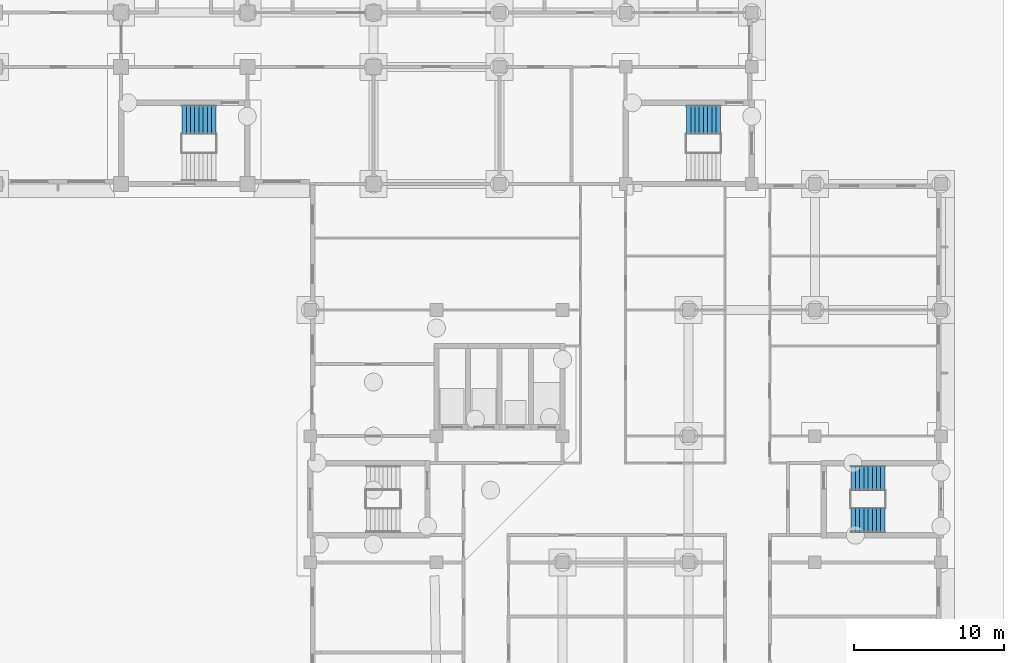
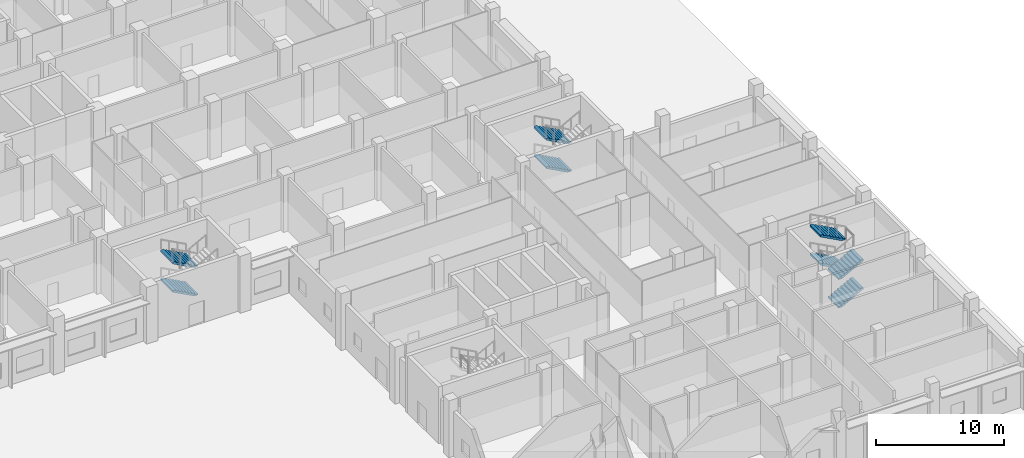
# One storey, part 100 of 146: 8 stair flights, 3 elements without a shape of their own.
"""IFC4 building model written with IfcOpenShell, lengths in metres."""

from ifc_helpers import new_model, si_unit, direction, frame, origin, place, context, subcontext, project, spatial, polyline, outline, extrude, material, type_object, element, aggregate, save


model = new_model("IFC4")

# Units and contexts
model_context = context("Model", 3, precision=1e-05, world=origin(), true_north=direction((0.0, 1.0)))
body_context = subcontext(model_context, "Body", "Model", "MODEL_VIEW")
ifc_project = project(units=[si_unit("LENGTHUNIT", "METRE"), si_unit("AREAUNIT", "SQUARE_METRE"), si_unit("VOLUMEUNIT", "CUBIC_METRE"), si_unit("PLANEANGLEUNIT", "RADIAN"), si_unit("MASSUNIT", "GRAM", prefix="KILO")], contexts=[model_context])

# Site, building, storey
site_placement = place(None, origin())
site = spatial("IfcSite", under=ifc_project, at=site_placement, CompositionType="ELEMENT")
building_placement = place(site_placement, origin())
building = spatial("IfcBuilding", under=site, at=building_placement, Name="Bougainvillea Quay General Hospital", CompositionType="ELEMENT")
storey_placement = place(building_placement, origin())
storey = spatial("IfcBuildingStorey", under=building, at=storey_placement, Name="L00", CompositionType="ELEMENT", Elevation=0.0)

# Stair, stair flights
ifc_material = material(Name="Concrete C35", Category="concrete")
stair_type_1 = type_object("IfcStairType", Name="Stair half-turn 1650 wide", PredefinedType="HALF_TURN_STAIR", material=ifc_material)
stair_1_placement = place(storey_placement, origin())
stair_1 = element("IfcStair", 1, at=stair_1_placement, inside=storey, type_object=stair_type_1, Name="L00 stair ST-T2", PredefinedType="HALF_TURN_STAIR")
stair_flight_type_1 = type_object("IfcStairFlightType", Name="Stair flight 1650", PredefinedType="STRAIGHT", material=ifc_material)
stair_flight_1_placement = place(storey_placement, frame((199.824951171875, 95.199951171875, 0.0), z_axis=(0.0, 0.0, 1.0), x_axis=(1.0, 0.0, 0.0)))
stair_flight_1 = element("IfcStairFlight", 2, at=stair_flight_1_placement, type_object=stair_flight_type_1, Name="ST-T2 flight 1", NumberOfRisers=9, NumberOfTreads=8, PredefinedType="STRAIGHT", RiserHeight=0.15, TreadLength=0.28, context=body_context, shape_type="SweptSolid", body=[
    extrude(outline(polyline([(-0.0029296875, 0.0), (-0.0029296875, 0.003662109375), (-0.0029296875, 0.00732421875), (-0.0029296875, 0.010986328125), (-0.0029296875, 0.0146484375), (-0.0029296875, 0.018310546875), (-0.0029296875, 0.02197265625), (-0.0029296875, 0.025634765625), (-0.0029296875, 0.029296875), (-0.0029296875, 0.032958984375), (-0.0029296875, 0.03662109375), (-0.0029296875, 0.040283203125), (-0.0029296875, 0.0439453125), (-0.0029296875, 0.047607421875), (-0.0029296875, 0.05126953125), (-0.0029296875, 0.054931640625), (-0.0029296875, 0.05859375), (-0.0029296875, 0.062255859375), (-0.0029296875, 0.06591796875), (-0.0029296875, 0.069580078125), (-0.0029296875, 0.0732421875), (-0.0029296875, 0.076904296875), (-0.0029296875, 0.08056640625), (-0.0029296875, 0.084228515625), (-0.0029296875, 0.087890625), (-0.0029296875, 0.091552734375), (-0.0029296875, 0.09521484375), (-0.0029296875, 0.098876953125), (-0.0029296875, 0.1025390625), (-0.0029296875, 0.106201171875), (-0.0029296875, 0.10986328125), (-0.0029296875, 0.113525390625), (-0.0029296875, 0.1171875), (-0.0029296875, 0.120849609375), (-0.0029296875, 0.12451171875), (-0.0029296875, 0.1279296875), (-0.0029296875, 0.131591796875), (-0.0029296875, 0.13525390625), (-0.0029296875, 0.138916015625), (-0.0029296875, 0.142578125), (-0.0029296875, 0.146240234375), (-0.0029296875, 0.14990234375), (0.280029296875, 0.14990234375), (0.280029296875, 0.300048828125), (0.56005859375, 0.300048828125), (0.56005859375, 0.449951171875), (0.840087890625, 0.449951171875), (0.840087890625, 0.60009765625), (1.1201171875, 0.60009765625), (1.1201171875, 0.75), (1.39990234375, 0.75), (1.39990234375, 0.89990234375), (1.679931640625, 0.89990234375), (1.679931640625, 1.050048828125), (1.9599609375, 1.050048828125), (1.9599609375, 1.199951171875), (2.242919921875, 1.199951171875), (2.242919921875, 1.19580078125), (2.242919921875, 1.191650390625), (2.242919921875, 1.1875), (2.242919921875, 1.183349609375), (2.242919921875, 1.17919921875), (2.242919921875, 1.175048828125), (2.242919921875, 1.1708984375), (2.242919921875, 1.166748046875), (2.242919921875, 1.16259765625), (2.242919921875, 1.158447265625), (2.242919921875, 1.154296875), (2.242919921875, 1.150146484375), (2.242919921875, 1.14599609375), (2.242919921875, 1.141845703125), (2.242919921875, 1.1376953125), (2.242919921875, 1.133544921875), (2.242919921875, 1.12939453125), (2.242919921875, 1.125244140625), (2.242919921875, 1.12109375), (2.242919921875, 1.116943359375), (2.242919921875, 1.11279296875), (2.242919921875, 1.108642578125), (2.242919921875, 1.1044921875), (2.242919921875, 1.100341796875), (2.242919921875, 1.09619140625), (2.242919921875, 1.092041015625), (2.242919921875, 1.087890625), (2.242919921875, 1.083984375), (2.242919921875, 1.079833984375), (2.242919921875, 1.07568359375), (2.242919921875, 1.071533203125), (2.242919921875, 1.0673828125), (2.242919921875, 1.063232421875), (2.242919921875, 1.05908203125), (2.242919921875, 1.054931640625), (2.242919921875, 1.05078125), (2.242919921875, 1.046630859375), (2.242919921875, 1.04248046875), (2.242919921875, 1.038330078125), (2.242919921875, 1.0341796875), (2.242919921875, 1.030029296875), (0.3173828125, 0.0), (-0.0029296875, 0.0)])), frame((0.0, 0.824951171875, 0.0), z_axis=(0.0, -1.0, 0.0), x_axis=(1.0, 0.0, 0.0)), (0.0, 0.0, 1.0), 1.64990234375),
])
stair_flight_2_placement = place(storey_placement, frame((202.06494140625, 98.0, 1.35009765625), z_axis=(0.0, 0.0, 1.0), x_axis=(-1.0, 0.0, 0.0)))
stair_flight_2 = element("IfcStairFlight", 3, at=stair_flight_2_placement, type_object=stair_flight_type_1, Name="ST-T2 flight 2", NumberOfRisers=9, NumberOfTreads=8, PredefinedType="STRAIGHT", RiserHeight=0.15, TreadLength=0.28, context=body_context, shape_type="SweptSolid", body=[
    extrude(outline(polyline([(-0.0029296875, 0.0), (-0.0029296875, 0.003662109375), (-0.0029296875, 0.00732421875), (-0.0029296875, 0.010986328125), (-0.0029296875, 0.0146484375), (-0.0029296875, 0.018310546875), (-0.0029296875, 0.02197265625), (-0.0029296875, 0.025634765625), (-0.0029296875, 0.029296875), (-0.0029296875, 0.032958984375), (-0.0029296875, 0.03662109375), (-0.0029296875, 0.040283203125), (-0.0029296875, 0.0439453125), (-0.0029296875, 0.047607421875), (-0.0029296875, 0.05126953125), (-0.0029296875, 0.054931640625), (-0.0029296875, 0.05859375), (-0.0029296875, 0.062255859375), (-0.0029296875, 0.06591796875), (-0.0029296875, 0.069580078125), (-0.0029296875, 0.0732421875), (-0.0029296875, 0.076904296875), (-0.0029296875, 0.08056640625), (-0.0029296875, 0.084228515625), (-0.0029296875, 0.087890625), (-0.0029296875, 0.091552734375), (-0.0029296875, 0.09521484375), (-0.0029296875, 0.098876953125), (-0.0029296875, 0.1025390625), (-0.0029296875, 0.106201171875), (-0.0029296875, 0.10986328125), (-0.0029296875, 0.113525390625), (-0.0029296875, 0.1171875), (-0.0029296875, 0.120849609375), (-0.0029296875, 0.12451171875), (-0.0029296875, 0.1279296875), (-0.0029296875, 0.131591796875), (-0.0029296875, 0.13525390625), (-0.0029296875, 0.138916015625), (-0.0029296875, 0.142578125), (-0.0029296875, 0.146240234375), (-0.0029296875, 0.14990234375), (0.280029296875, 0.14990234375), (0.280029296875, 0.300048828125), (0.56005859375, 0.300048828125), (0.56005859375, 0.449951171875), (0.840087890625, 0.449951171875), (0.840087890625, 0.60009765625), (1.1201171875, 0.60009765625), (1.1201171875, 0.75), (1.39990234375, 0.75), (1.39990234375, 0.89990234375), (1.679931640625, 0.89990234375), (1.679931640625, 1.050048828125), (1.9599609375, 1.050048828125), (1.9599609375, 1.199951171875), (2.242919921875, 1.199951171875), (2.242919921875, 1.19580078125), (2.242919921875, 1.191650390625), (2.242919921875, 1.1875), (2.242919921875, 1.183349609375), (2.242919921875, 1.17919921875), (2.242919921875, 1.175048828125), (2.242919921875, 1.1708984375), (2.242919921875, 1.166748046875), (2.242919921875, 1.16259765625), (2.242919921875, 1.158447265625), (2.242919921875, 1.154296875), (2.242919921875, 1.150146484375), (2.242919921875, 1.14599609375), (2.242919921875, 1.141845703125), (2.242919921875, 1.1376953125), (2.242919921875, 1.133544921875), (2.242919921875, 1.12939453125), (2.242919921875, 1.125244140625), (2.242919921875, 1.12109375), (2.242919921875, 1.116943359375), (2.242919921875, 1.11279296875), (2.242919921875, 1.108642578125), (2.242919921875, 1.1044921875), (2.242919921875, 1.100341796875), (2.242919921875, 1.09619140625), (2.242919921875, 1.092041015625), (2.242919921875, 1.087890625), (2.242919921875, 1.083984375), (2.242919921875, 1.079833984375), (2.242919921875, 1.07568359375), (2.242919921875, 1.071533203125), (2.242919921875, 1.0673828125), (2.242919921875, 1.063232421875), (2.242919921875, 1.05908203125), (2.242919921875, 1.054931640625), (2.242919921875, 1.05078125), (2.242919921875, 1.046630859375), (2.242919921875, 1.04248046875), (2.242919921875, 1.038330078125), (2.242919921875, 1.0341796875), (2.242919921875, 1.030029296875), (0.3173828125, 0.0), (-0.0029296875, 0.0)])), frame((0.0, 0.824951171875, 0.0), z_axis=(0.0, -1.0, 0.0), x_axis=(1.0, 0.0, 0.0)), (0.0, 0.0, 1.0), 1.64990234375),
])
stair_flight_3_placement = place(storey_placement, frame((199.824951171875, 95.199951171875, 2.699951171875), z_axis=(0.0, 0.0, 1.0), x_axis=(1.0, 0.0, 0.0)))
stair_flight_3 = element("IfcStairFlight", 4, at=stair_flight_3_placement, type_object=stair_flight_type_1, Name="ST-T2 flight 3", NumberOfRisers=9, NumberOfTreads=8, PredefinedType="STRAIGHT", RiserHeight=0.15, TreadLength=0.28, context=body_context, shape_type="SweptSolid", body=[
    extrude(outline(polyline([(-0.0029296875, 0.0), (-0.0029296875, 0.003662109375), (-0.0029296875, 0.00732421875), (-0.0029296875, 0.010986328125), (-0.0029296875, 0.0146484375), (-0.0029296875, 0.018310546875), (-0.0029296875, 0.02197265625), (-0.0029296875, 0.025634765625), (-0.0029296875, 0.029296875), (-0.0029296875, 0.032958984375), (-0.0029296875, 0.03662109375), (-0.0029296875, 0.040283203125), (-0.0029296875, 0.0439453125), (-0.0029296875, 0.047607421875), (-0.0029296875, 0.05126953125), (-0.0029296875, 0.054931640625), (-0.0029296875, 0.05859375), (-0.0029296875, 0.062255859375), (-0.0029296875, 0.06591796875), (-0.0029296875, 0.069580078125), (-0.0029296875, 0.0732421875), (-0.0029296875, 0.076904296875), (-0.0029296875, 0.08056640625), (-0.0029296875, 0.084228515625), (-0.0029296875, 0.087890625), (-0.0029296875, 0.091552734375), (-0.0029296875, 0.09521484375), (-0.0029296875, 0.098876953125), (-0.0029296875, 0.1025390625), (-0.0029296875, 0.106201171875), (-0.0029296875, 0.10986328125), (-0.0029296875, 0.113525390625), (-0.0029296875, 0.1171875), (-0.0029296875, 0.120849609375), (-0.0029296875, 0.12451171875), (-0.0029296875, 0.1279296875), (-0.0029296875, 0.131591796875), (-0.0029296875, 0.13525390625), (-0.0029296875, 0.138916015625), (-0.0029296875, 0.142578125), (-0.0029296875, 0.146240234375), (-0.0029296875, 0.14990234375), (0.280029296875, 0.14990234375), (0.280029296875, 0.300048828125), (0.56005859375, 0.300048828125), (0.56005859375, 0.449951171875), (0.840087890625, 0.449951171875), (0.840087890625, 0.60009765625), (1.1201171875, 0.60009765625), (1.1201171875, 0.75), (1.39990234375, 0.75), (1.39990234375, 0.89990234375), (1.679931640625, 0.89990234375), (1.679931640625, 1.050048828125), (1.9599609375, 1.050048828125), (1.9599609375, 1.199951171875), (2.242919921875, 1.199951171875), (2.242919921875, 1.19580078125), (2.242919921875, 1.191650390625), (2.242919921875, 1.1875), (2.242919921875, 1.183349609375), (2.242919921875, 1.17919921875), (2.242919921875, 1.175048828125), (2.242919921875, 1.1708984375), (2.242919921875, 1.166748046875), (2.242919921875, 1.16259765625), (2.242919921875, 1.158447265625), (2.242919921875, 1.154296875), (2.242919921875, 1.150146484375), (2.242919921875, 1.14599609375), (2.242919921875, 1.141845703125), (2.242919921875, 1.1376953125), (2.242919921875, 1.133544921875), (2.242919921875, 1.12939453125), (2.242919921875, 1.125244140625), (2.242919921875, 1.12109375), (2.242919921875, 1.116943359375), (2.242919921875, 1.11279296875), (2.242919921875, 1.108642578125), (2.242919921875, 1.1044921875), (2.242919921875, 1.100341796875), (2.242919921875, 1.09619140625), (2.242919921875, 1.092041015625), (2.242919921875, 1.087890625), (2.242919921875, 1.083984375), (2.242919921875, 1.079833984375), (2.242919921875, 1.07568359375), (2.242919921875, 1.071533203125), (2.242919921875, 1.0673828125), (2.242919921875, 1.063232421875), (2.242919921875, 1.05908203125), (2.242919921875, 1.054931640625), (2.242919921875, 1.05078125), (2.242919921875, 1.046630859375), (2.242919921875, 1.04248046875), (2.242919921875, 1.038330078125), (2.242919921875, 1.0341796875), (2.242919921875, 1.030029296875), (0.3173828125, 0.0), (-0.0029296875, 0.0)])), frame((0.0, 0.824951171875, 0.0), z_axis=(0.0, -1.0, 0.0), x_axis=(1.0, 0.0, 0.0)), (0.0, 0.0, 1.0), 1.64990234375),
])
stair_flight_4_placement = place(storey_placement, frame((202.06494140625, 98.0, 4.050048828125), z_axis=(0.0, 0.0, 1.0), x_axis=(-1.0, 0.0, 0.0)))
stair_flight_4 = element("IfcStairFlight", 5, at=stair_flight_4_placement, type_object=stair_flight_type_1, Name="ST-T2 flight 4", NumberOfRisers=9, NumberOfTreads=8, PredefinedType="STRAIGHT", RiserHeight=0.15, TreadLength=0.28, context=body_context, shape_type="SweptSolid", body=[
    extrude(outline(polyline([(-0.0029296875, 0.0), (-0.0029296875, 0.003662109375), (-0.0029296875, 0.00732421875), (-0.0029296875, 0.010986328125), (-0.0029296875, 0.0146484375), (-0.0029296875, 0.018310546875), (-0.0029296875, 0.02197265625), (-0.0029296875, 0.025634765625), (-0.0029296875, 0.029296875), (-0.0029296875, 0.032958984375), (-0.0029296875, 0.03662109375), (-0.0029296875, 0.040283203125), (-0.0029296875, 0.0439453125), (-0.0029296875, 0.047607421875), (-0.0029296875, 0.05126953125), (-0.0029296875, 0.054931640625), (-0.0029296875, 0.05859375), (-0.0029296875, 0.062255859375), (-0.0029296875, 0.06591796875), (-0.0029296875, 0.069580078125), (-0.0029296875, 0.0732421875), (-0.0029296875, 0.076904296875), (-0.0029296875, 0.08056640625), (-0.0029296875, 0.084228515625), (-0.0029296875, 0.087890625), (-0.0029296875, 0.091552734375), (-0.0029296875, 0.09521484375), (-0.0029296875, 0.098876953125), (-0.0029296875, 0.1025390625), (-0.0029296875, 0.106201171875), (-0.0029296875, 0.10986328125), (-0.0029296875, 0.113525390625), (-0.0029296875, 0.1171875), (-0.0029296875, 0.120849609375), (-0.0029296875, 0.12451171875), (-0.0029296875, 0.1279296875), (-0.0029296875, 0.131591796875), (-0.0029296875, 0.13525390625), (-0.0029296875, 0.138916015625), (-0.0029296875, 0.142578125), (-0.0029296875, 0.146240234375), (-0.0029296875, 0.14990234375), (0.280029296875, 0.14990234375), (0.280029296875, 0.300048828125), (0.56005859375, 0.300048828125), (0.56005859375, 0.449951171875), (0.840087890625, 0.449951171875), (0.840087890625, 0.60009765625), (1.1201171875, 0.60009765625), (1.1201171875, 0.75), (1.39990234375, 0.75), (1.39990234375, 0.89990234375), (1.679931640625, 0.89990234375), (1.679931640625, 1.050048828125), (1.9599609375, 1.050048828125), (1.9599609375, 1.199951171875), (2.242919921875, 1.199951171875), (2.242919921875, 1.19580078125), (2.242919921875, 1.191650390625), (2.242919921875, 1.1875), (2.242919921875, 1.183349609375), (2.242919921875, 1.17919921875), (2.242919921875, 1.175048828125), (2.242919921875, 1.1708984375), (2.242919921875, 1.166748046875), (2.242919921875, 1.16259765625), (2.242919921875, 1.158447265625), (2.242919921875, 1.154296875), (2.242919921875, 1.150146484375), (2.242919921875, 1.14599609375), (2.242919921875, 1.141845703125), (2.242919921875, 1.1376953125), (2.242919921875, 1.133544921875), (2.242919921875, 1.12939453125), (2.242919921875, 1.125244140625), (2.242919921875, 1.12109375), (2.242919921875, 1.116943359375), (2.242919921875, 1.11279296875), (2.242919921875, 1.108642578125), (2.242919921875, 1.1044921875), (2.242919921875, 1.100341796875), (2.242919921875, 1.09619140625), (2.242919921875, 1.092041015625), (2.242919921875, 1.087890625), (2.242919921875, 1.083984375), (2.242919921875, 1.079833984375), (2.242919921875, 1.07568359375), (2.242919921875, 1.071533203125), (2.242919921875, 1.0673828125), (2.242919921875, 1.063232421875), (2.242919921875, 1.05908203125), (2.242919921875, 1.054931640625), (2.242919921875, 1.05078125), (2.242919921875, 1.046630859375), (2.242919921875, 1.04248046875), (2.242919921875, 1.038330078125), (2.242919921875, 1.0341796875), (2.242919921875, 1.030029296875), (0.3173828125, 0.0), (-0.0029296875, 0.0)])), frame((0.0, 0.824951171875, 0.0), z_axis=(0.0, -1.0, 0.0), x_axis=(1.0, 0.0, 0.0)), (0.0, 0.0, 1.0), 1.64990234375),
])
aggregate(stair_1, [stair_flight_1, stair_flight_2, stair_flight_3, stair_flight_4])

stair_type_2 = type_object("IfcStairType", Name="Stair half-turn 1925 wide", PredefinedType="HALF_TURN_STAIR", material=ifc_material)
stair_2_placement = place(storey_placement, origin())
stair_2 = element("IfcStair", 6, at=stair_2_placement, inside=storey, type_object=stair_type_2, Name="L00 stair ST-D4", PredefinedType="HALF_TURN_STAIR")
stair_flight_type_2 = type_object("IfcStairFlightType", Name="Stair flight 1925", PredefinedType="STRAIGHT", material=ifc_material)
stair_flight_5_placement = place(storey_placement, frame((191.10009765625, 121.862548828125, 0.0), z_axis=(0.0, 0.0, 1.0), x_axis=(-1.0, 0.0, 0.0)))
stair_flight_5 = element("IfcStairFlight", 7, at=stair_flight_5_placement, type_object=stair_flight_type_2, Name="ST-D4 flight 1", NumberOfRisers=9, NumberOfTreads=8, PredefinedType="STRAIGHT", RiserHeight=0.15, TreadLength=0.28, context=body_context, shape_type="SweptSolid", body=[
    extrude(outline(polyline([(-0.0029296875, 0.0), (-0.0029296875, 0.003662109375), (-0.0029296875, 0.00732421875), (-0.0029296875, 0.010986328125), (-0.0029296875, 0.0146484375), (-0.0029296875, 0.018310546875), (-0.0029296875, 0.02197265625), (-0.0029296875, 0.025634765625), (-0.0029296875, 0.029296875), (-0.0029296875, 0.032958984375), (-0.0029296875, 0.03662109375), (-0.0029296875, 0.040283203125), (-0.0029296875, 0.0439453125), (-0.0029296875, 0.047607421875), (-0.0029296875, 0.05126953125), (-0.0029296875, 0.054931640625), (-0.0029296875, 0.05859375), (-0.0029296875, 0.062255859375), (-0.0029296875, 0.06591796875), (-0.0029296875, 0.069580078125), (-0.0029296875, 0.0732421875), (-0.0029296875, 0.076904296875), (-0.0029296875, 0.08056640625), (-0.0029296875, 0.084228515625), (-0.0029296875, 0.087890625), (-0.0029296875, 0.091552734375), (-0.0029296875, 0.09521484375), (-0.0029296875, 0.098876953125), (-0.0029296875, 0.1025390625), (-0.0029296875, 0.106201171875), (-0.0029296875, 0.10986328125), (-0.0029296875, 0.113525390625), (-0.0029296875, 0.1171875), (-0.0029296875, 0.120849609375), (-0.0029296875, 0.12451171875), (-0.0029296875, 0.1279296875), (-0.0029296875, 0.131591796875), (-0.0029296875, 0.13525390625), (-0.0029296875, 0.138916015625), (-0.0029296875, 0.142578125), (-0.0029296875, 0.146240234375), (-0.0029296875, 0.14990234375), (0.280029296875, 0.14990234375), (0.280029296875, 0.300048828125), (0.56005859375, 0.300048828125), (0.56005859375, 0.449951171875), (0.840087890625, 0.449951171875), (0.840087890625, 0.60009765625), (1.1201171875, 0.60009765625), (1.1201171875, 0.75), (1.39990234375, 0.75), (1.39990234375, 0.89990234375), (1.679931640625, 0.89990234375), (1.679931640625, 1.050048828125), (1.9599609375, 1.050048828125), (1.9599609375, 1.199951171875), (2.242919921875, 1.199951171875), (2.242919921875, 1.19580078125), (2.242919921875, 1.191650390625), (2.242919921875, 1.1875), (2.242919921875, 1.183349609375), (2.242919921875, 1.17919921875), (2.242919921875, 1.175048828125), (2.242919921875, 1.1708984375), (2.242919921875, 1.166748046875), (2.242919921875, 1.16259765625), (2.242919921875, 1.158447265625), (2.242919921875, 1.154296875), (2.242919921875, 1.150146484375), (2.242919921875, 1.14599609375), (2.242919921875, 1.141845703125), (2.242919921875, 1.1376953125), (2.242919921875, 1.133544921875), (2.242919921875, 1.12939453125), (2.242919921875, 1.125244140625), (2.242919921875, 1.12109375), (2.242919921875, 1.116943359375), (2.242919921875, 1.11279296875), (2.242919921875, 1.108642578125), (2.242919921875, 1.1044921875), (2.242919921875, 1.100341796875), (2.242919921875, 1.09619140625), (2.242919921875, 1.092041015625), (2.242919921875, 1.087890625), (2.242919921875, 1.083984375), (2.242919921875, 1.079833984375), (2.242919921875, 1.07568359375), (2.242919921875, 1.071533203125), (2.242919921875, 1.0673828125), (2.242919921875, 1.063232421875), (2.242919921875, 1.05908203125), (2.242919921875, 1.054931640625), (2.242919921875, 1.05078125), (2.242919921875, 1.046630859375), (2.242919921875, 1.04248046875), (2.242919921875, 1.038330078125), (2.242919921875, 1.0341796875), (2.242919921875, 1.030029296875), (0.3173828125, 0.0), (-0.0029296875, 0.0)])), frame((0.0, 0.96240234375, 0.0), z_axis=(0.0, -1.0, 0.0), x_axis=(1.0, 0.0, 0.0)), (0.0, 0.0, 1.0), 1.925048828125),
])
stair_flight_6_placement = place(storey_placement, frame((191.10009765625, 121.862548828125, 2.699951171875), z_axis=(0.0, 0.0, 1.0), x_axis=(-1.0, 0.0, 0.0)))
stair_flight_6 = element("IfcStairFlight", 8, at=stair_flight_6_placement, type_object=stair_flight_type_2, Name="ST-D4 flight 3", NumberOfRisers=9, NumberOfTreads=8, PredefinedType="STRAIGHT", RiserHeight=0.15, TreadLength=0.28, context=body_context, shape_type="SweptSolid", body=[
    extrude(outline(polyline([(-0.0029296875, 0.0), (-0.0029296875, 0.003662109375), (-0.0029296875, 0.00732421875), (-0.0029296875, 0.010986328125), (-0.0029296875, 0.0146484375), (-0.0029296875, 0.018310546875), (-0.0029296875, 0.02197265625), (-0.0029296875, 0.025634765625), (-0.0029296875, 0.029296875), (-0.0029296875, 0.032958984375), (-0.0029296875, 0.03662109375), (-0.0029296875, 0.040283203125), (-0.0029296875, 0.0439453125), (-0.0029296875, 0.047607421875), (-0.0029296875, 0.05126953125), (-0.0029296875, 0.054931640625), (-0.0029296875, 0.05859375), (-0.0029296875, 0.062255859375), (-0.0029296875, 0.06591796875), (-0.0029296875, 0.069580078125), (-0.0029296875, 0.0732421875), (-0.0029296875, 0.076904296875), (-0.0029296875, 0.08056640625), (-0.0029296875, 0.084228515625), (-0.0029296875, 0.087890625), (-0.0029296875, 0.091552734375), (-0.0029296875, 0.09521484375), (-0.0029296875, 0.098876953125), (-0.0029296875, 0.1025390625), (-0.0029296875, 0.106201171875), (-0.0029296875, 0.10986328125), (-0.0029296875, 0.113525390625), (-0.0029296875, 0.1171875), (-0.0029296875, 0.120849609375), (-0.0029296875, 0.12451171875), (-0.0029296875, 0.1279296875), (-0.0029296875, 0.131591796875), (-0.0029296875, 0.13525390625), (-0.0029296875, 0.138916015625), (-0.0029296875, 0.142578125), (-0.0029296875, 0.146240234375), (-0.0029296875, 0.14990234375), (0.280029296875, 0.14990234375), (0.280029296875, 0.300048828125), (0.56005859375, 0.300048828125), (0.56005859375, 0.449951171875), (0.840087890625, 0.449951171875), (0.840087890625, 0.60009765625), (1.1201171875, 0.60009765625), (1.1201171875, 0.75), (1.39990234375, 0.75), (1.39990234375, 0.89990234375), (1.679931640625, 0.89990234375), (1.679931640625, 1.050048828125), (1.9599609375, 1.050048828125), (1.9599609375, 1.199951171875), (2.242919921875, 1.199951171875), (2.242919921875, 1.19580078125), (2.242919921875, 1.191650390625), (2.242919921875, 1.1875), (2.242919921875, 1.183349609375), (2.242919921875, 1.17919921875), (2.242919921875, 1.175048828125), (2.242919921875, 1.1708984375), (2.242919921875, 1.166748046875), (2.242919921875, 1.16259765625), (2.242919921875, 1.158447265625), (2.242919921875, 1.154296875), (2.242919921875, 1.150146484375), (2.242919921875, 1.14599609375), (2.242919921875, 1.141845703125), (2.242919921875, 1.1376953125), (2.242919921875, 1.133544921875), (2.242919921875, 1.12939453125), (2.242919921875, 1.125244140625), (2.242919921875, 1.12109375), (2.242919921875, 1.116943359375), (2.242919921875, 1.11279296875), (2.242919921875, 1.108642578125), (2.242919921875, 1.1044921875), (2.242919921875, 1.100341796875), (2.242919921875, 1.09619140625), (2.242919921875, 1.092041015625), (2.242919921875, 1.087890625), (2.242919921875, 1.083984375), (2.242919921875, 1.079833984375), (2.242919921875, 1.07568359375), (2.242919921875, 1.071533203125), (2.242919921875, 1.0673828125), (2.242919921875, 1.063232421875), (2.242919921875, 1.05908203125), (2.242919921875, 1.054931640625), (2.242919921875, 1.05078125), (2.242919921875, 1.046630859375), (2.242919921875, 1.04248046875), (2.242919921875, 1.038330078125), (2.242919921875, 1.0341796875), (2.242919921875, 1.030029296875), (0.3173828125, 0.0), (-0.0029296875, 0.0)])), frame((0.0, 0.96240234375, 0.0), z_axis=(0.0, -1.0, 0.0), x_axis=(1.0, 0.0, 0.0)), (0.0, 0.0, 1.0), 1.925048828125),
])
aggregate(stair_2, [stair_flight_5, stair_flight_6])

stair_3_placement = place(storey_placement, origin())
stair_3 = element("IfcStair", 9, at=stair_3_placement, inside=storey, type_object=stair_type_2, Name="L00 stair ST-B4", PredefinedType="HALF_TURN_STAIR")
stair_flight_7_placement = place(storey_placement, frame((157.5, 121.862548828125, 0.0), z_axis=(0.0, 0.0, 1.0), x_axis=(-1.0, 0.0, 0.0)))
stair_flight_7 = element("IfcStairFlight", 10, at=stair_flight_7_placement, type_object=stair_flight_type_2, Name="ST-B4 flight 1", NumberOfRisers=9, NumberOfTreads=8, PredefinedType="STRAIGHT", RiserHeight=0.15, TreadLength=0.28, context=body_context, shape_type="SweptSolid", body=[
    extrude(outline(polyline([(-0.0029296875, 0.0), (-0.0029296875, 0.003662109375), (-0.0029296875, 0.00732421875), (-0.0029296875, 0.010986328125), (-0.0029296875, 0.0146484375), (-0.0029296875, 0.018310546875), (-0.0029296875, 0.02197265625), (-0.0029296875, 0.025634765625), (-0.0029296875, 0.029296875), (-0.0029296875, 0.032958984375), (-0.0029296875, 0.03662109375), (-0.0029296875, 0.040283203125), (-0.0029296875, 0.0439453125), (-0.0029296875, 0.047607421875), (-0.0029296875, 0.05126953125), (-0.0029296875, 0.054931640625), (-0.0029296875, 0.05859375), (-0.0029296875, 0.062255859375), (-0.0029296875, 0.06591796875), (-0.0029296875, 0.069580078125), (-0.0029296875, 0.0732421875), (-0.0029296875, 0.076904296875), (-0.0029296875, 0.08056640625), (-0.0029296875, 0.084228515625), (-0.0029296875, 0.087890625), (-0.0029296875, 0.091552734375), (-0.0029296875, 0.09521484375), (-0.0029296875, 0.098876953125), (-0.0029296875, 0.1025390625), (-0.0029296875, 0.106201171875), (-0.0029296875, 0.10986328125), (-0.0029296875, 0.113525390625), (-0.0029296875, 0.1171875), (-0.0029296875, 0.120849609375), (-0.0029296875, 0.12451171875), (-0.0029296875, 0.1279296875), (-0.0029296875, 0.131591796875), (-0.0029296875, 0.13525390625), (-0.0029296875, 0.138916015625), (-0.0029296875, 0.142578125), (-0.0029296875, 0.146240234375), (-0.0029296875, 0.14990234375), (0.280029296875, 0.14990234375), (0.280029296875, 0.300048828125), (0.56005859375, 0.300048828125), (0.56005859375, 0.449951171875), (0.840087890625, 0.449951171875), (0.840087890625, 0.60009765625), (1.1201171875, 0.60009765625), (1.1201171875, 0.75), (1.39990234375, 0.75), (1.39990234375, 0.89990234375), (1.679931640625, 0.89990234375), (1.679931640625, 1.050048828125), (1.9599609375, 1.050048828125), (1.9599609375, 1.199951171875), (2.242919921875, 1.199951171875), (2.242919921875, 1.19580078125), (2.242919921875, 1.191650390625), (2.242919921875, 1.1875), (2.242919921875, 1.183349609375), (2.242919921875, 1.17919921875), (2.242919921875, 1.175048828125), (2.242919921875, 1.1708984375), (2.242919921875, 1.166748046875), (2.242919921875, 1.16259765625), (2.242919921875, 1.158447265625), (2.242919921875, 1.154296875), (2.242919921875, 1.150146484375), (2.242919921875, 1.14599609375), (2.242919921875, 1.141845703125), (2.242919921875, 1.1376953125), (2.242919921875, 1.133544921875), (2.242919921875, 1.12939453125), (2.242919921875, 1.125244140625), (2.242919921875, 1.12109375), (2.242919921875, 1.116943359375), (2.242919921875, 1.11279296875), (2.242919921875, 1.108642578125), (2.242919921875, 1.1044921875), (2.242919921875, 1.100341796875), (2.242919921875, 1.09619140625), (2.242919921875, 1.092041015625), (2.242919921875, 1.087890625), (2.242919921875, 1.083984375), (2.242919921875, 1.079833984375), (2.242919921875, 1.07568359375), (2.242919921875, 1.071533203125), (2.242919921875, 1.0673828125), (2.242919921875, 1.063232421875), (2.242919921875, 1.05908203125), (2.242919921875, 1.054931640625), (2.242919921875, 1.05078125), (2.242919921875, 1.046630859375), (2.242919921875, 1.04248046875), (2.242919921875, 1.038330078125), (2.242919921875, 1.0341796875), (2.242919921875, 1.030029296875), (0.3173828125, 0.0), (-0.0029296875, 0.0)])), frame((0.0, 0.96240234375, 0.0), z_axis=(0.0, -1.0, 0.0), x_axis=(1.0, 0.0, 0.0)), (0.0, 0.0, 1.0), 1.925048828125),
])
stair_flight_8_placement = place(storey_placement, frame((157.5, 121.862548828125, 2.699951171875), z_axis=(0.0, 0.0, 1.0), x_axis=(-1.0, 0.0, 0.0)))
stair_flight_8 = element("IfcStairFlight", 11, at=stair_flight_8_placement, type_object=stair_flight_type_2, Name="ST-B4 flight 3", NumberOfRisers=9, NumberOfTreads=8, PredefinedType="STRAIGHT", RiserHeight=0.15, TreadLength=0.28, context=body_context, shape_type="SweptSolid", body=[
    extrude(outline(polyline([(-0.0029296875, 0.0), (-0.0029296875, 0.003662109375), (-0.0029296875, 0.00732421875), (-0.0029296875, 0.010986328125), (-0.0029296875, 0.0146484375), (-0.0029296875, 0.018310546875), (-0.0029296875, 0.02197265625), (-0.0029296875, 0.025634765625), (-0.0029296875, 0.029296875), (-0.0029296875, 0.032958984375), (-0.0029296875, 0.03662109375), (-0.0029296875, 0.040283203125), (-0.0029296875, 0.0439453125), (-0.0029296875, 0.047607421875), (-0.0029296875, 0.05126953125), (-0.0029296875, 0.054931640625), (-0.0029296875, 0.05859375), (-0.0029296875, 0.062255859375), (-0.0029296875, 0.06591796875), (-0.0029296875, 0.069580078125), (-0.0029296875, 0.0732421875), (-0.0029296875, 0.076904296875), (-0.0029296875, 0.08056640625), (-0.0029296875, 0.084228515625), (-0.0029296875, 0.087890625), (-0.0029296875, 0.091552734375), (-0.0029296875, 0.09521484375), (-0.0029296875, 0.098876953125), (-0.0029296875, 0.1025390625), (-0.0029296875, 0.106201171875), (-0.0029296875, 0.10986328125), (-0.0029296875, 0.113525390625), (-0.0029296875, 0.1171875), (-0.0029296875, 0.120849609375), (-0.0029296875, 0.12451171875), (-0.0029296875, 0.1279296875), (-0.0029296875, 0.131591796875), (-0.0029296875, 0.13525390625), (-0.0029296875, 0.138916015625), (-0.0029296875, 0.142578125), (-0.0029296875, 0.146240234375), (-0.0029296875, 0.14990234375), (0.280029296875, 0.14990234375), (0.280029296875, 0.300048828125), (0.56005859375, 0.300048828125), (0.56005859375, 0.449951171875), (0.840087890625, 0.449951171875), (0.840087890625, 0.60009765625), (1.1201171875, 0.60009765625), (1.1201171875, 0.75), (1.39990234375, 0.75), (1.39990234375, 0.89990234375), (1.679931640625, 0.89990234375), (1.679931640625, 1.050048828125), (1.9599609375, 1.050048828125), (1.9599609375, 1.199951171875), (2.242919921875, 1.199951171875), (2.242919921875, 1.19580078125), (2.242919921875, 1.191650390625), (2.242919921875, 1.1875), (2.242919921875, 1.183349609375), (2.242919921875, 1.17919921875), (2.242919921875, 1.175048828125), (2.242919921875, 1.1708984375), (2.242919921875, 1.166748046875), (2.242919921875, 1.16259765625), (2.242919921875, 1.158447265625), (2.242919921875, 1.154296875), (2.242919921875, 1.150146484375), (2.242919921875, 1.14599609375), (2.242919921875, 1.141845703125), (2.242919921875, 1.1376953125), (2.242919921875, 1.133544921875), (2.242919921875, 1.12939453125), (2.242919921875, 1.125244140625), (2.242919921875, 1.12109375), (2.242919921875, 1.116943359375), (2.242919921875, 1.11279296875), (2.242919921875, 1.108642578125), (2.242919921875, 1.1044921875), (2.242919921875, 1.100341796875), (2.242919921875, 1.09619140625), (2.242919921875, 1.092041015625), (2.242919921875, 1.087890625), (2.242919921875, 1.083984375), (2.242919921875, 1.079833984375), (2.242919921875, 1.07568359375), (2.242919921875, 1.071533203125), (2.242919921875, 1.0673828125), (2.242919921875, 1.063232421875), (2.242919921875, 1.05908203125), (2.242919921875, 1.054931640625), (2.242919921875, 1.05078125), (2.242919921875, 1.046630859375), (2.242919921875, 1.04248046875), (2.242919921875, 1.038330078125), (2.242919921875, 1.0341796875), (2.242919921875, 1.030029296875), (0.3173828125, 0.0), (-0.0029296875, 0.0)])), frame((0.0, 0.96240234375, 0.0), z_axis=(0.0, -1.0, 0.0), x_axis=(1.0, 0.0, 0.0)), (0.0, 0.0, 1.0), 1.925048828125),
])
aggregate(stair_3, [stair_flight_7, stair_flight_8])

save(model, "model.ifc")
